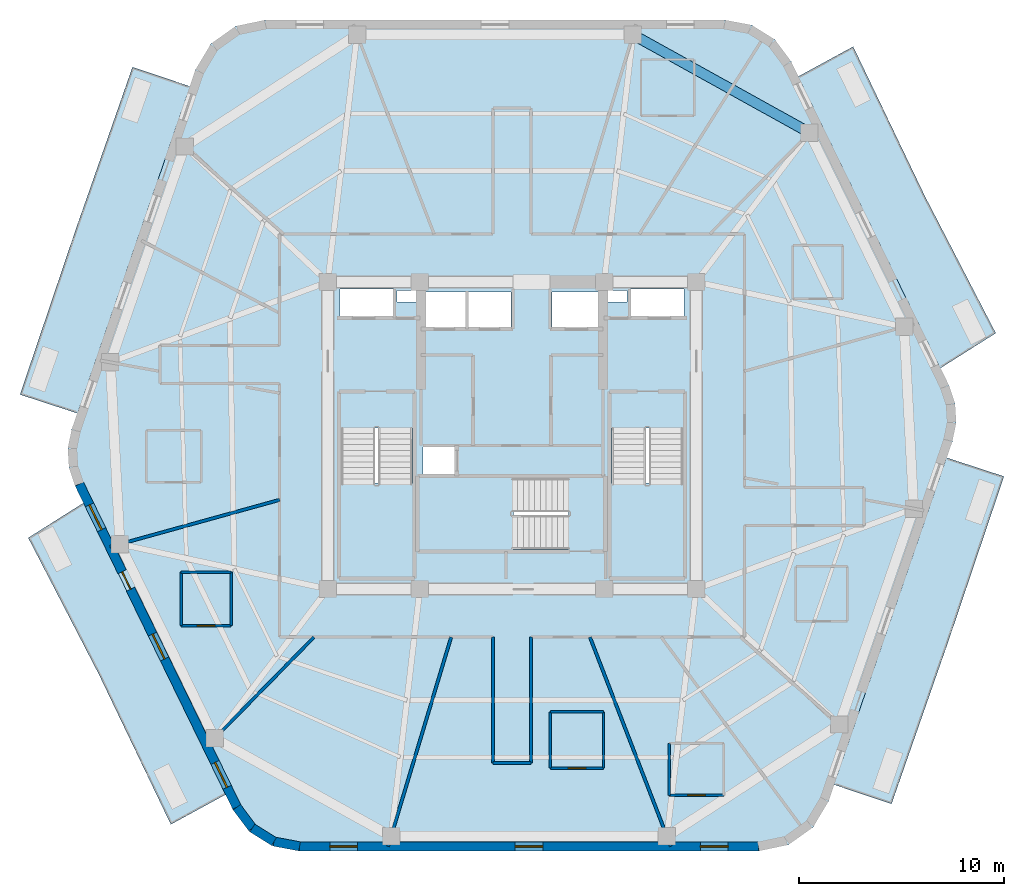
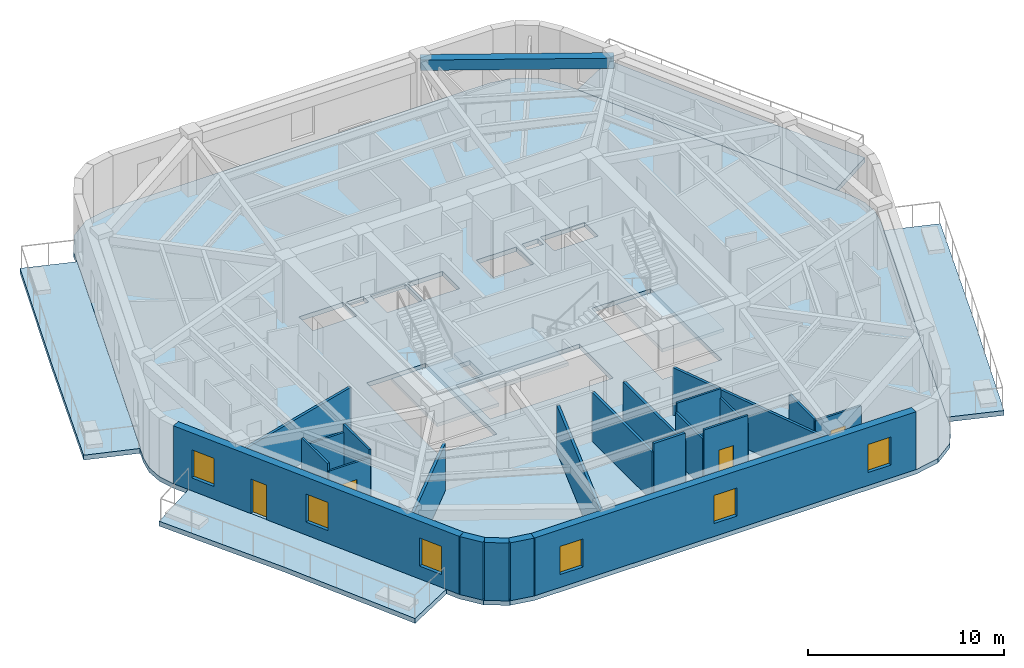
# One storey, part 2 of 9: 22 walls, 8 slabs, 6 windows, 4 doors, 1 beam, 10 openings, 3 elements without a shape of their own.
"""IFC4 building model written with IfcOpenShell, lengths in metres."""

from ifc_helpers import new_model, si_unit, direction, frame, frame_2d, origin, origin_2d, place, context, subcontext, project, spatial, polyline, rectangle, outline, extrude, material, layer, layer_set, material_profile, profile_set, type_object, element, fill, aggregate, save


model = new_model("IFC4")

# Units and contexts
model_context = context("Model", 3, precision=1e-05, world=origin(), true_north=direction((0.0, 1.0)))
body_context = subcontext(model_context, "Body", "Model", "MODEL_VIEW")
ifc_project = project(units=[si_unit("LENGTHUNIT", "METRE"), si_unit("AREAUNIT", "SQUARE_METRE"), si_unit("VOLUMEUNIT", "CUBIC_METRE"), si_unit("PLANEANGLEUNIT", "RADIAN"), si_unit("MASSUNIT", "GRAM", prefix="KILO")], contexts=[model_context])

# Site, building, storey
site_placement = place(None, origin())
site = spatial("IfcSite", under=ifc_project, at=site_placement, CompositionType="ELEMENT")
building_placement = place(site_placement, origin())
building = spatial("IfcBuilding", under=site, at=building_placement, Name="Kilnhurst Terrace Hotel", CompositionType="ELEMENT")
storey_placement = place(building_placement, frame((0.0, 0.0, 276.89990234375)))
storey = spatial("IfcBuildingStorey", under=building, at=storey_placement, Name="L69", CompositionType="ELEMENT", Elevation=276.89990234375)

# Beam
ifc_material_1 = material(Name="Concrete C50/60", Category="concrete")
ifc_material_profile = material_profile(ifc_material_1, rectangle(XDim=0.5, YDim=0.64990234375, at=origin_2d()), Name="RC500X650")
ifc_profile_set = profile_set([ifc_material_profile], Name="Concrete C50/60")
beam_type = type_object("IfcBeamType", Name="BM-SPN-500X650", PredefinedType="SPANDREL", material=ifc_profile_set)
beam_placement = place(storey_placement, frame((14.531005859375, 14.798095703125, 3.275146484375), z_axis=(-0.874527255888, 0.484976369227, 0.0), x_axis=(-0.484976369227, -0.874527255888, 0.0)))
element("IfcBeam", 1, at=beam_placement, inside=storey, type_object=beam_type, Name="L69 Perimeter Spandrel Beam 6", PredefinedType="SPANDREL", context=body_context, shape_type="SweptSolid", body=[
    extrude(rectangle(XDim=0.5, YDim=0.64990234375, at=origin_2d()), origin(), (0.0, 0.0, 1.0), 9.8603515625),
])

# Slabs
ifc_layer_1 = layer(ifc_material_1, 0.300048828125, Name="Concrete C50/60")
ifc_layer_set_1 = layer_set([ifc_layer_1], Name="Concrete C50/60")
slab_type_1 = type_object("IfcSlabType", Name="SLB-BAL-300", PredefinedType="FLOOR", material=ifc_layer_set_1)
slab_1_placement = place(storey_placement, frame((0.0, 0.0, -0.2998046875)))
element("IfcSlab", 2, at=slab_1_placement, inside=storey, type_object=slab_type_1, Name="L69 Cantilevered Planted Terrace Slab BAL-L1A", PredefinedType="FLOOR", context=body_context, shape_type="SweptSolid", body=[
    extrude(outline(polyline([(21.317626953125, -10.054931640625), (18.541259765625, -18.0), (15.725341796875, -17.0556640625), (21.223388671875, -1.0791015625), (24.037353515625, -2.0), (21.317626953125, -10.054931640625)])), origin(), (0.0, 0.0, 1.0), 0.2998046875),
])
slab_2_placement = place(storey_placement, frame((0.0, 0.0, -0.2998046875)))
element("IfcSlab", 3, at=slab_2_placement, inside=storey, type_object=slab_type_1, Name="L69 Cantilevered Planted Terrace Slab BAL-L1B", PredefinedType="FLOOR", context=body_context, shape_type="SweptSolid", body=[
    extrude(outline(polyline([(23.635498046875, 5.0), (20.920166015625, 3.28662109375), (13.9755859375, 17.534912109375), (16.669189453125, 19.0), (20.17919921875, 11.6767578125), (23.635498046875, 5.0)])), origin(), (0.0, 0.0, 1.0), 0.2998046875),
])
slab_3_placement = place(storey_placement, frame((0.0, 0.0, -0.2998046875)))
element("IfcSlab", 4, at=slab_3_placement, inside=storey, type_object=slab_type_1, Name="L69 Cantilevered Planted Terrace Slab BAL-L2A", PredefinedType="FLOOR", context=body_context, shape_type="SweptSolid", body=[
    extrude(outline(polyline([(-18.541259765625, 18.0), (-15.725341796875, 17.0556640625), (-21.223388671875, 1.0791015625), (-24.037353515625, 2.0), (-21.317626953125, 10.054931640625), (-18.541259765625, 18.0)])), origin(), (0.0, 0.0, 1.0), 0.2998046875),
])
slab_4_placement = place(storey_placement, frame((0.0, 0.0, -0.2998046875)))
element("IfcSlab", 5, at=slab_4_placement, inside=storey, type_object=slab_type_1, Name="L69 Cantilevered Planted Terrace Slab BAL-L2B", PredefinedType="FLOOR", context=body_context, shape_type="SweptSolid", body=[
    extrude(outline(polyline([(-23.635498046875, -5.0), (-20.920166015625, -3.28662109375), (-13.9755859375, -17.534912109375), (-16.669189453125, -19.0), (-20.17919921875, -11.6767578125), (-23.635498046875, -5.0)])), origin(), (0.0, 0.0, 1.0), 0.2998046875),
])
ifc_layer_2 = layer(ifc_material_1, 0.280029296875, Name="Concrete C50/60")
ifc_layer_set_2 = layer_set([ifc_layer_2], Name="Concrete C50/60")
slab_type_2 = type_object("IfcSlabType", Name="SLB-FLR-280", PredefinedType="FLOOR", material=ifc_layer_set_2)
slab_5_placement = place(storey_placement, frame((0.0, 0.0, -0.27978515625)))
element("IfcSlab", 6, at=slab_5_placement, inside=storey, type_object=slab_type_2, Name="L69 Structural Floor Slab", PredefinedType="FLOOR", context=body_context, shape_type="SweptSolid", body=[
    extrude(outline(polyline([(-13.635986328125, -18.27734375), (-12.840087890625, -19.3466796875), (-11.709716796875, -20.05322265625), (-10.39990234375, -20.300048828125), (12.061767578125, -20.300048828125), (13.5068359375, -19.9970703125), (14.708984375, -19.139404296875), (15.4658203125, -17.871337890625), (21.51513671875, -0.29248046875), (21.7021484375, 0.627685546875), (21.64501953125, 1.565185546875), (21.34716796875, 2.4560546875), (13.635986328125, 18.27734375), (12.840087890625, 19.3466796875), (11.709716796875, 20.05322265625), (10.39990234375, 20.300048828125), (-12.061767578125, 20.300048828125), (-13.5068359375, 19.9970703125), (-14.708984375, 19.139404296875), (-15.4658203125, 17.871337890625), (-21.51513671875, 0.29248046875), (-21.7021484375, -0.627685546875), (-21.64501953125, -1.565185546875), (-21.34716796875, -2.4560546875), (-13.635986328125, -18.27734375)]), holes=[polyline([(-8.35009765625, 0.35498046875), (-4.8798828125, 0.35498046875), (-4.8798828125, -6.89990234375), (-8.35009765625, -6.89990234375), (-8.35009765625, 0.35498046875)]), polyline([(-2.800048828125, -1.89990234375), (-4.35009765625, -1.89990234375), (-4.35009765625, -0.550048828125), (-2.800048828125, -0.550048828125), (-2.800048828125, -1.89990234375)]), polyline([(-2.25, 5.25), (-4.300048828125, 5.25), (-4.300048828125, 7.0), (-2.25, 7.0), (-2.25, 5.25)]), polyline([(-2.1201171875, 5.25), (-2.1201171875, 7.0), (-0.050048828125, 7.0), (-0.050048828125, 5.25), (-2.1201171875, 5.25)]), polyline([(-8.39990234375, 5.75), (-8.39990234375, 7.14990234375), (-5.800048828125, 7.14990234375), (-5.800048828125, 5.75), (-8.39990234375, 5.75)]), polyline([(-4.659912109375, 6.52001953125), (-5.6201171875, 6.52001953125), (-5.6201171875, 7.080078125), (-4.659912109375, 7.080078125), (-4.659912109375, 6.52001953125)]), polyline([(2.7548828125, -5.550048828125), (-4.5, -5.550048828125), (-4.5, -2.080078125), (2.7548828125, -2.080078125), (2.7548828125, -5.550048828125)]), polyline([(8.35009765625, 0.35498046875), (8.35009765625, -6.89990234375), (4.8798828125, -6.89990234375), (4.8798828125, 0.35498046875), (8.35009765625, 0.35498046875)]), polyline([(4.300048828125, 5.25), (1.949951171875, 5.25), (1.949951171875, 7.0), (4.300048828125, 7.0), (4.300048828125, 5.25)]), polyline([(5.800048828125, 5.75), (5.800048828125, 7.14990234375), (8.39990234375, 7.14990234375), (8.39990234375, 5.75), (5.800048828125, 5.75)]), polyline([(4.659912109375, 6.52001953125), (4.659912109375, 7.080078125), (5.6201171875, 7.080078125), (5.6201171875, 6.52001953125), (4.659912109375, 6.52001953125)])]), origin(), (0.0, 0.0, 1.0), 0.27978515625),
])

# Stair, slab
stair_type = type_object("IfcStairType", Name="STR-CORE-1660", PredefinedType="HALF_TURN_STAIR", material=ifc_material_1)
stair_1_placement = place(storey_placement, origin())
stair_1 = element("IfcStair", 7, at=stair_1_placement, inside=storey, type_object=stair_type, Name="L69 ST-1", PredefinedType="HALF_TURN_STAIR")
ifc_layer_3 = layer(ifc_material_1, 0.199951171875, Name="Concrete C50/60")
ifc_layer_set_3 = layer_set([ifc_layer_3], Name="Concrete C50/60")
slab_type_3 = type_object("IfcSlabType", Name="SLB-ST-LND-200", PredefinedType="LANDING", material=ifc_layer_set_3)
slab_6_placement = place(storey_placement, frame((0.0, 0.0, 1.75)))
slab_6 = element("IfcSlab", 8, at=slab_6_placement, type_object=slab_type_3, Name="ST-1 landing 1", PredefinedType="LANDING", context=body_context, shape_type="SweptSolid", body=[
    extrude(outline(polyline([(-8.429931640625, -2.330078125), (-4.800048828125, -2.330078125), (-4.800048828125, -6.97998046875), (-8.429931640625, -6.97998046875), (-8.429931640625, -2.330078125)])), origin(), (0.0, 0.0, 1.0), 0.2001953125),
])
aggregate(stair_1, [slab_6])

stair_2_placement = place(storey_placement, origin())
stair_2 = element("IfcStair", 9, at=stair_2_placement, inside=storey, type_object=stair_type, Name="L69 ST-2", PredefinedType="HALF_TURN_STAIR")
slab_7_placement = place(storey_placement, frame((0.0, 0.0, 1.75)))
slab_7 = element("IfcSlab", 10, at=slab_7_placement, type_object=slab_type_3, Name="ST-2 landing 1", PredefinedType="LANDING", context=body_context, shape_type="SweptSolid", body=[
    extrude(outline(polyline([(4.800048828125, -2.330078125), (8.429931640625, -2.330078125), (8.429931640625, -6.97998046875), (4.800048828125, -6.97998046875), (4.800048828125, -2.330078125)])), origin(), (0.0, 0.0, 1.0), 0.2001953125),
])
aggregate(stair_2, [slab_7])

stair_3_placement = place(storey_placement, origin())
stair_3 = element("IfcStair", 11, at=stair_3_placement, inside=storey, type_object=stair_type, Name="L69 ST-3", PredefinedType="HALF_TURN_STAIR")
slab_8_placement = place(storey_placement, frame((0.0, 0.0, 1.75)))
slab_8 = element("IfcSlab", 12, at=slab_8_placement, type_object=slab_type_3, Name="ST-3 landing 1", PredefinedType="LANDING", context=body_context, shape_type="SweptSolid", body=[
    extrude(outline(polyline([(0.070068359375, -2.0), (0.070068359375, -5.6298828125), (-4.580078125, -5.6298828125), (-4.580078125, -2.0), (0.070068359375, -2.0)])), origin(), (0.0, 0.0, 1.0), 0.2001953125),
])
aggregate(stair_3, [slab_8])

# Walls
ifc_material_2 = material(Name="Precast concrete C40/50", Category="concrete")
ifc_layer_4 = layer(ifc_material_2, 0.449951171875, Name="Precast concrete C40/50")
ifc_layer_set_4 = layer_set([ifc_layer_4], Name="Precast concrete C40/50")
wall_type_1 = type_object("IfcWallType", Name="WL-BRK-450", PredefinedType="SOLIDWALL", material=ifc_layer_set_4)
wall_1_placement = place(storey_placement, frame((-13.44287109375, -18.159912109375, 0.0), z_axis=(0.0, 0.0, 1.0), x_axis=(0.597042425808, -0.802209661987, 0.0)))
element("IfcWall", 13, at=wall_1_placement, inside=storey, type_object=wall_type_1, Name="L69 Rounded Corner Brick Wall C1.1", PredefinedType="SOLIDWALL", context=body_context, shape_type="SweptSolid", body=[
    extrude(rectangle(XDim=1.269775390625, YDim=0.449951171875, at=frame_2d((0.634765625, 0.0))), origin(), (0.0, 0.0, 1.0), 3.60009765625),
])
wall_2_placement = place(storey_placement, frame((-12.684814453125, -19.178466796875, 0.0), z_axis=(0.0, 0.0, 1.0), x_axis=(0.848031272749, -0.529946186362, 0.0)))
element("IfcWall", 14, at=wall_2_placement, inside=storey, type_object=wall_type_1, Name="L69 Rounded Corner Brick Wall C1.2", PredefinedType="SOLIDWALL", context=body_context, shape_type="SweptSolid", body=[
    extrude(rectangle(XDim=1.248046875, YDim=0.449951171875, at=frame_2d((0.6240234375, 0.0))), origin(), (0.0, 0.0, 1.0), 3.60009765625),
])
wall_3_placement = place(storey_placement, frame((-11.62646484375, -19.83984375, 0.0), z_axis=(0.0, 0.0, 1.0), x_axis=(0.982701956681, -0.185194126083, 0.0)))
element("IfcWall", 15, at=wall_3_placement, inside=storey, type_object=wall_type_1, Name="L69 Rounded Corner Brick Wall C1.3", PredefinedType="SOLIDWALL", context=body_context, shape_type="SweptSolid", body=[
    extrude(rectangle(XDim=1.26953125, YDim=0.449951171875, at=frame_2d((0.634765625, 0.0))), origin(), (0.0, 0.0, 1.0), 3.60009765625),
])

# Wall, openings, windows
wall_4_placement = place(storey_placement, frame((-10.37890625, -20.074951171875, 0.0), z_axis=(0.0, 0.0, 1.0), x_axis=(1.0, 0.0, 0.0)))
wall_4 = element("IfcWall", 16, at=wall_4_placement, inside=storey, type_object=wall_type_1, Name="L69 Exterior Brick Facade Wall F1", PredefinedType="SOLIDWALL", context=body_context, shape_type="SweptSolid", body=[
    extrude(rectangle(XDim=22.417236328125, YDim=0.449951171875, at=frame_2d((11.20849609375, 0.0))), origin(), (0.0, 0.0, 1.0), 3.60009765625),
])
opening_1_placement = place(wall_4_placement, frame((1.47998046875, 0.0, 0.800048828125)))
opening_1 = element("IfcOpeningElement", 17, at=opening_1_placement, cuts=wall_4, Name="Opening W-06", PredefinedType="OPENING", context=body_context, shape_type="SweptSolid", body=[
    extrude(rectangle(XDim=1.35009765625, YDim=1.75, at=frame_2d((0.675048828125, 0.875))), frame((0.0, 0.23486328125, 0.0), z_axis=(0.0, -1.0, 0.0), x_axis=(1.0, 0.0, 0.0)), (0.0, 0.0, 1.0), 0.469970703125),
])
opening_2_placement = place(wall_4_placement, frame((10.533935546875, 0.0, 0.800048828125)))
opening_2 = element("IfcOpeningElement", 18, at=opening_2_placement, cuts=wall_4, Name="Opening W-06", PredefinedType="OPENING", context=body_context, shape_type="SweptSolid", body=[
    extrude(rectangle(XDim=1.35009765625, YDim=1.75, at=frame_2d((0.675048828125, 0.875))), frame((0.0, 0.23486328125, 0.0), z_axis=(0.0, -1.0, 0.0), x_axis=(1.0, 0.0, 0.0)), (0.0, 0.0, 1.0), 0.469970703125),
])
opening_3_placement = place(wall_4_placement, frame((19.5869140625, 0.0, 0.800048828125)))
opening_3 = element("IfcOpeningElement", 19, at=opening_3_placement, cuts=wall_4, Name="Opening W-06", PredefinedType="OPENING", context=body_context, shape_type="SweptSolid", body=[
    extrude(rectangle(XDim=1.35009765625, YDim=1.75, at=frame_2d((0.675048828125, 0.875))), frame((0.0, 0.23486328125, 0.0), z_axis=(0.0, -1.0, 0.0), x_axis=(1.0, 0.0, 0.0)), (0.0, 0.0, 1.0), 0.469970703125),
])
ifc_material_3 = material(Name="Thermally Broken Bronze Aluminium Alloy 6063-T6 and Low-E Glass", Category="aluminium")
window_type = type_object("IfcWindowType", Name="WIN-1350X1750", PartitioningType="SINGLE_PANEL", PredefinedType="WINDOW", material=ifc_material_3)
window_1_placement = place(opening_1_placement, origin())
window_1 = element("IfcWindow", 20, at=window_1_placement, inside=storey, type_object=window_type, Name="L69 Deep-Set Masonry Window F1.1", OverallHeight=1.75, OverallWidth=1.35009765625, PartitioningType="SINGLE_PANEL", PredefinedType="WINDOW", context=body_context, shape_type="SweptSolid", body=[
    extrude(rectangle(XDim=1.35009765625, YDim=1.75, at=frame_2d((0.675048828125, 0.875))), frame((0.0, 0.030029296875, 0.0), z_axis=(0.0, -1.0, 0.0), x_axis=(1.0, 0.0, 0.0)), (0.0, 0.0, 1.0), 0.06005859375),
])
fill(opening_1, window_1)
window_2_placement = place(opening_2_placement, origin())
window_2 = element("IfcWindow", 21, at=window_2_placement, inside=storey, type_object=window_type, Name="L69 Deep-Set Masonry Window F1.2", OverallHeight=1.75, OverallWidth=1.35009765625, PartitioningType="SINGLE_PANEL", PredefinedType="WINDOW", context=body_context, shape_type="SweptSolid", body=[
    extrude(rectangle(XDim=1.35009765625, YDim=1.75, at=frame_2d((0.675048828125, 0.875))), frame((0.0, 0.030029296875, 0.0), z_axis=(0.0, -1.0, 0.0), x_axis=(1.0, 0.0, 0.0)), (0.0, 0.0, 1.0), 0.06005859375),
])
fill(opening_2, window_2)
window_3_placement = place(opening_3_placement, origin())
window_3 = element("IfcWindow", 22, at=window_3_placement, inside=storey, type_object=window_type, Name="L69 Deep-Set Masonry Window F1.3", OverallHeight=1.75, OverallWidth=1.35009765625, PartitioningType="SINGLE_PANEL", PredefinedType="WINDOW", context=body_context, shape_type="SweptSolid", body=[
    extrude(rectangle(XDim=1.35009765625, YDim=1.75, at=frame_2d((0.675048828125, 0.875))), frame((0.0, 0.030029296875, 0.0), z_axis=(0.0, -1.0, 0.0), x_axis=(1.0, 0.0, 0.0)), (0.0, 0.0, 1.0), 0.06005859375),
])
fill(opening_3, window_3)

# Wall, openings, door, windows
wall_5_placement = place(storey_placement, frame((-21.138427734375, -2.370849609375, 0.0), z_axis=(0.0, 0.0, 1.0), x_axis=(0.438128124058, -0.89891253574, 0.0)))
wall_5 = element("IfcWall", 23, at=wall_5_placement, inside=storey, type_object=wall_type_1, Name="L69 Exterior Brick Facade Wall F6", PredefinedType="SOLIDWALL", context=body_context, shape_type="SweptSolid", body=[
    extrude(rectangle(XDim=17.564697265625, YDim=0.449951171875, at=frame_2d((8.7822265625, 0.0))), origin(), (0.0, 0.0, 1.0), 3.60009765625),
])
opening_4_placement = place(wall_5_placement, frame((4.76904296875, 0.0, 0.0)))
opening_4 = element("IfcOpeningElement", 24, at=opening_4_placement, cuts=wall_5, Name="Opening BD-950", PredefinedType="OPENING", context=body_context, shape_type="SweptSolid", body=[
    extrude(rectangle(XDim=0.949951171875, YDim=2.14990234375, at=frame_2d((0.47509765625, 1.074951171875))), frame((0.0, 0.23486328125, 0.0), z_axis=(0.0, -1.0, 0.0), x_axis=(1.0, 0.0, 0.0)), (0.0, 0.0, 1.0), 0.469970703125),
])
opening_5_placement = place(wall_5_placement, frame((1.133056640625, 0.0, 0.800048828125)))
opening_5 = element("IfcOpeningElement", 25, at=opening_5_placement, cuts=wall_5, Name="Opening W-06", PredefinedType="OPENING", context=body_context, shape_type="SweptSolid", body=[
    extrude(rectangle(XDim=1.35009765625, YDim=1.75, at=frame_2d((0.675048828125, 0.875))), frame((0.0, 0.23486328125, 0.0), z_axis=(0.0, -1.0, 0.0), x_axis=(1.0, 0.0, 0.0)), (0.0, 0.0, 1.0), 0.469970703125),
])
opening_6_placement = place(wall_5_placement, frame((8.157958984375, 0.0, 0.800048828125)))
opening_6 = element("IfcOpeningElement", 26, at=opening_6_placement, cuts=wall_5, Name="Opening W-06", PredefinedType="OPENING", context=body_context, shape_type="SweptSolid", body=[
    extrude(rectangle(XDim=1.35009765625, YDim=1.75, at=frame_2d((0.675048828125, 0.875))), frame((0.0, 0.23486328125, 0.0), z_axis=(0.0, -1.0, 0.0), x_axis=(1.0, 0.0, 0.0)), (0.0, 0.0, 1.0), 0.469970703125),
])
opening_7_placement = place(wall_5_placement, frame((15.132080078125, 0.0, 0.800048828125)))
opening_7 = element("IfcOpeningElement", 27, at=opening_7_placement, cuts=wall_5, Name="Opening W-06", PredefinedType="OPENING", context=body_context, shape_type="SweptSolid", body=[
    extrude(rectangle(XDim=1.35009765625, YDim=1.75, at=frame_2d((0.675048828125, 0.875))), frame((0.0, 0.23486328125, 0.0), z_axis=(0.0, -1.0, 0.0), x_axis=(1.0, 0.0, 0.0)), (0.0, 0.0, 1.0), 0.469970703125),
])
ifc_material_4 = material(Name="Thermally Broken Bronze Aluminium Alloy 6063-T6 and Laminated Glass", Category="aluminium")
door_type_1 = type_object("IfcDoorType", Name="DR-EXT-BAL-950", OperationType="NOTDEFINED", PredefinedType="DOOR", material=ifc_material_4)
door_1_placement = place(opening_4_placement, origin())
door_1 = element("IfcDoor", 28, at=door_1_placement, inside=storey, type_object=door_type_1, Name="L69 Planted Balcony Door BAL-L2B", OperationType="SINGLE_SWING_RIGHT", OverallHeight=2.14990234375, OverallWidth=0.949951171875, PredefinedType="DOOR", context=body_context, shape_type="SweptSolid", body=[
    extrude(rectangle(XDim=0.949951171875, YDim=2.14990234375, at=frame_2d((0.47509765625, 1.074951171875))), frame((0.0, 0.02490234375, 0.0), z_axis=(0.0, -1.0, 0.0), x_axis=(1.0, 0.0, 0.0)), (0.0, 0.0, 1.0), 0.050048828125),
])
fill(opening_4, door_1)
window_4_placement = place(opening_5_placement, origin())
window_4 = element("IfcWindow", 29, at=window_4_placement, inside=storey, type_object=window_type, Name="L69 Deep-Set Masonry Window F6.1", OverallHeight=1.75, OverallWidth=1.35009765625, PartitioningType="SINGLE_PANEL", PredefinedType="WINDOW", context=body_context, shape_type="SweptSolid", body=[
    extrude(rectangle(XDim=1.35009765625, YDim=1.75, at=frame_2d((0.675048828125, 0.875))), frame((0.0, 0.030029296875, 0.0), z_axis=(0.0, -1.0, 0.0), x_axis=(1.0, 0.0, 0.0)), (0.0, 0.0, 1.0), 0.06005859375),
])
fill(opening_5, window_4)
window_5_placement = place(opening_6_placement, origin())
window_5 = element("IfcWindow", 30, at=window_5_placement, inside=storey, type_object=window_type, Name="L69 Deep-Set Masonry Window F6.2", OverallHeight=1.75, OverallWidth=1.35009765625, PartitioningType="SINGLE_PANEL", PredefinedType="WINDOW", context=body_context, shape_type="SweptSolid", body=[
    extrude(rectangle(XDim=1.35009765625, YDim=1.75, at=frame_2d((0.675048828125, 0.875))), frame((0.0, 0.030029296875, 0.0), z_axis=(0.0, -1.0, 0.0), x_axis=(1.0, 0.0, 0.0)), (0.0, 0.0, 1.0), 0.06005859375),
])
fill(opening_6, window_5)
window_6_placement = place(opening_7_placement, origin())
window_6 = element("IfcWindow", 31, at=window_6_placement, inside=storey, type_object=window_type, Name="L69 Deep-Set Masonry Window F6.3", OverallHeight=1.75, OverallWidth=1.35009765625, PartitioningType="SINGLE_PANEL", PredefinedType="WINDOW", context=body_context, shape_type="SweptSolid", body=[
    extrude(rectangle(XDim=1.35009765625, YDim=1.75, at=frame_2d((0.675048828125, 0.875))), frame((0.0, 0.030029296875, 0.0), z_axis=(0.0, -1.0, 0.0), x_axis=(1.0, 0.0, 0.0)), (0.0, 0.0, 1.0), 0.06005859375),
])
fill(opening_7, window_6)

# Walls
ifc_material_5 = material(Name="Acoustic Double-Gypsum Corridor Partition Assembly")
ifc_layer_5 = layer(ifc_material_5, 0.14990234375, Name="Acoustic Double-Gypsum Corridor Partition Assembly")
ifc_layer_set_5 = layer_set([ifc_layer_5], Name="Acoustic Double-Gypsum Corridor Partition Assembly")
wall_type_2 = type_object("IfcWallType", Name="WL-COR-150", PredefinedType="PARTITIONING", material=ifc_layer_set_5)
wall_6_placement = place(storey_placement, frame((0.919921875, -9.85009765625, 0.0), z_axis=(0.0, 0.0, 1.0), x_axis=(0.0, -1.0, 0.0)))
element("IfcWall", 32, at=wall_6_placement, inside=storey, type_object=wall_type_2, Name="L69 Interior Wall WL-L69-COR-17", PredefinedType="PARTITIONING", context=body_context, shape_type="SweptSolid", body=[
    extrude(rectangle(XDim=6.14990234375, YDim=0.14990234375, at=frame_2d((3.074951171875, 0.0))), origin(), (0.0, 0.0, 1.0), 3.04052734375),
])
wall_7_placement = place(storey_placement, frame((0.919921875, -16.0, 0.0), z_axis=(0.0, 0.0, 1.0), x_axis=(-1.0, 0.0, 0.0)))
element("IfcWall", 33, at=wall_7_placement, inside=storey, type_object=wall_type_2, Name="L69 Interior Wall WL-L69-COR-18", PredefinedType="PARTITIONING", context=body_context, shape_type="SweptSolid", body=[
    extrude(rectangle(XDim=1.83984375, YDim=0.14990234375, at=frame_2d((0.919921875, 0.0))), origin(), (0.0, 0.0, 1.0), 3.60009765625),
])
wall_8_placement = place(storey_placement, frame((-0.919921875, -16.0, 0.0), z_axis=(0.0, 0.0, 1.0), x_axis=(0.0, 1.0, 0.0)))
element("IfcWall", 34, at=wall_8_placement, inside=storey, type_object=wall_type_2, Name="L69 Interior Wall WL-L69-COR-19", PredefinedType="PARTITIONING", context=body_context, shape_type="SweptSolid", body=[
    extrude(rectangle(XDim=6.14990234375, YDim=0.14990234375, at=frame_2d((3.074951171875, 0.0))), origin(), (0.0, 0.0, 1.0), 3.04052734375),
])
ifc_material_6 = material(Name="STC-58 Acoustic Twin-Frame Guestroom Demising Partition")
ifc_layer_6 = layer(ifc_material_6, 0.14990234375, Name="STC-58 Acoustic Twin-Frame Guestroom Demising Partition")
ifc_layer_set_6 = layer_set([ifc_layer_6], Name="STC-58 Acoustic Twin-Frame Guestroom Demising Partition")
wall_type_3 = type_object("IfcWallType", Name="WL-DEM-150", PredefinedType="PARTITIONING", material=ifc_layer_set_6)
wall_9_placement = place(storey_placement, frame((-11.35009765625, -3.142822265625, 0.0), z_axis=(0.0, 0.0, 1.0), x_axis=(-0.963731818141, -0.266872596386, 0.0)))
element("IfcWall", 35, at=wall_9_placement, inside=storey, type_object=wall_type_3, Name="L69 Interior Wall WL-L69-DEM-COL07-09-1", PredefinedType="PARTITIONING", context=body_context, shape_type="SweptSolid", body=[
    extrude(rectangle(XDim=8.604736328125, YDim=0.14990234375, at=frame_2d((4.30224609375, 0.0))), origin(), (0.0, 0.0, 1.0), 2.940185546875),
])
wall_10_placement = place(storey_placement, frame((-9.67236328125, -9.85009765625, 0.0), z_axis=(0.0, 0.0, 1.0), x_axis=(-0.700629771301, -0.713524998558, 0.0)))
element("IfcWall", 36, at=wall_10_placement, inside=storey, type_object=wall_type_3, Name="L69 Interior Wall WL-L69-DEM-COL08-10-1", PredefinedType="PARTITIONING", context=body_context, shape_type="SweptSolid", body=[
    extrude(rectangle(XDim=7.45947265625, YDim=0.14990234375, at=frame_2d((3.729736328125, 0.0))), origin(), (0.0, 0.0, 1.0), 2.940185546875),
])
wall_11_placement = place(storey_placement, frame((-2.97216796875, -9.85009765625, 0.0), z_axis=(0.0, 0.0, 1.0), x_axis=(-0.288872169679, -0.957367677324, 0.0)))
element("IfcWall", 37, at=wall_11_placement, inside=storey, type_object=wall_type_3, Name="L69 Interior Wall WL-L69-DEM-COL09-11-1", PredefinedType="PARTITIONING", context=body_context, shape_type="SweptSolid", body=[
    extrude(rectangle(XDim=10.68017578125, YDim=0.14990234375, at=frame_2d((5.340087890625, 0.0))), origin(), (0.0, 0.0, 1.0), 2.940185546875),
])
wall_12_placement = place(storey_placement, frame((3.8076171875, -9.85009765625, 0.0), z_axis=(0.0, 0.0, 1.0), x_axis=(0.360587327934, -0.932725457427, 0.0)))
element("IfcWall", 38, at=wall_12_placement, inside=storey, type_object=wall_type_3, Name="L69 Interior Wall WL-L69-DEM-COL10-12-1", PredefinedType="PARTITIONING", context=body_context, shape_type="SweptSolid", body=[
    extrude(rectangle(XDim=10.96240234375, YDim=0.14990234375, at=frame_2d((5.481201171875, 0.0))), origin(), (0.0, 0.0, 1.0), 2.940185546875),
])

# Wall, opening, door
ifc_material_7 = material(Name="120 mm Moisture-Resistant Tile-Backed Bathroom Partition")
ifc_layer_7 = layer(ifc_material_7, 0.1201171875, Name="120 mm Moisture-Resistant Tile-Backed Bathroom Partition")
ifc_layer_set_7 = layer_set([ifc_layer_7], Name="120 mm Moisture-Resistant Tile-Backed Bathroom Partition")
wall_type_4 = type_object("IfcWallType", Name="WL-PART-120", PredefinedType="PARTITIONING", material=ifc_layer_set_7)
wall_13_placement = place(storey_placement, frame((-16.1630859375, -9.287109375, 0.0), z_axis=(0.0, 0.0, 1.0), x_axis=(1.0, 0.0, 0.0)))
wall_13 = element("IfcWall", 39, at=wall_13_placement, inside=storey, type_object=wall_type_4, Name="L69 Interior Wall WL-L69-BTH-09-1", PredefinedType="PARTITIONING", context=body_context, shape_type="SweptSolid", body=[
    extrude(rectangle(XDim=2.440185546875, YDim=0.1201171875, at=frame_2d((1.22021484375, 0.0))), origin(), (0.0, 0.0, 1.0), 3.126708984375),
])
opening_8_placement = place(wall_13_placement, frame((0.794921875, 0.0, 0.0)))
opening_8 = element("IfcOpeningElement", 40, at=opening_8_placement, cuts=wall_13, Name="Opening D-08A", PredefinedType="OPENING", context=body_context, shape_type="SweptSolid", body=[
    extrude(rectangle(XDim=0.85009765625, YDim=2.030029296875, at=frame_2d((0.425048828125, 1.01513671875))), frame((0.0, 0.070068359375, 0.0), z_axis=(0.0, -1.0, 0.0), x_axis=(1.0, 0.0, 0.0)), (0.0, 0.0, 1.0), 0.14013671875),
])
ifc_material_8 = material(Name="Moisture-Resistant Lacquered En-suite Bathroom Door")
door_type_2 = type_object("IfcDoorType", Name="DR-INT-850", OperationType="NOTDEFINED", PredefinedType="DOOR", material=ifc_material_8)
door_2_placement = place(opening_8_placement, origin())
door_2 = element("IfcDoor", 41, at=door_2_placement, inside=storey, type_object=door_type_2, Name="L69 En-suite Bathroom Door 9", OperationType="SINGLE_SWING_RIGHT", OverallHeight=2.030029296875, OverallWidth=0.85009765625, PredefinedType="DOOR", context=body_context, shape_type="SweptSolid", body=[
    extrude(rectangle(XDim=0.85009765625, YDim=2.030029296875, at=frame_2d((0.425048828125, 1.01513671875))), frame((0.0, 0.02490234375, 0.0), z_axis=(0.0, -1.0, 0.0), x_axis=(1.0, 0.0, 0.0)), (0.0, 0.0, 1.0), 0.050048828125),
])
fill(opening_8, door_2)

# Walls
wall_14_placement = place(storey_placement, frame((-13.722900390625, -9.287109375, 0.0), z_axis=(0.0, 0.0, 1.0), x_axis=(0.0, 1.0, 0.0)))
element("IfcWall", 42, at=wall_14_placement, inside=storey, type_object=wall_type_4, Name="L69 Interior Wall WL-L69-BTH-09-2", PredefinedType="PARTITIONING", context=body_context, shape_type="SweptSolid", body=[
    extrude(rectangle(XDim=2.610107421875, YDim=0.1201171875, at=frame_2d((1.30517578125, 0.0))), origin(), (0.0, 0.0, 1.0), 3.60009765625),
])
wall_15_placement = place(storey_placement, frame((-13.722900390625, -6.677001953125, 0.0), z_axis=(0.0, 0.0, 1.0), x_axis=(-1.0, 0.0, 0.0)))
element("IfcWall", 43, at=wall_15_placement, inside=storey, type_object=wall_type_4, Name="L69 Interior Wall WL-L69-BTH-09-3", PredefinedType="PARTITIONING", context=body_context, shape_type="SweptSolid", body=[
    extrude(rectangle(XDim=2.440185546875, YDim=0.1201171875, at=frame_2d((1.22021484375, 0.0))), origin(), (0.0, 0.0, 1.0), 3.126708984375),
])
wall_16_placement = place(storey_placement, frame((-16.1630859375, -6.677001953125, 0.0), z_axis=(0.0, 0.0, 1.0), x_axis=(0.0, -1.0, 0.0)))
element("IfcWall", 44, at=wall_16_placement, inside=storey, type_object=wall_type_4, Name="L69 Interior Wall WL-L69-BTH-09-4", PredefinedType="PARTITIONING", context=body_context, shape_type="SweptSolid", body=[
    extrude(rectangle(XDim=2.610107421875, YDim=0.1201171875, at=frame_2d((1.30517578125, 0.0))), origin(), (0.0, 0.0, 1.0), 3.60009765625),
])

# Wall, opening, door
wall_17_placement = place(storey_placement, frame((1.87109375, -16.25, 0.0), z_axis=(0.0, 0.0, 1.0), x_axis=(1.0, 0.0, 0.0)))
wall_17 = element("IfcWall", 45, at=wall_17_placement, inside=storey, type_object=wall_type_4, Name="L69 Interior Wall WL-L69-BTH-11-1", PredefinedType="PARTITIONING", context=body_context, shape_type="SweptSolid", body=[
    extrude(rectangle(XDim=2.599853515625, YDim=0.1201171875, at=frame_2d((1.2998046875, 0.0))), origin(), (0.0, 0.0, 1.0), 3.60009765625),
])
opening_9_placement = place(wall_17_placement, frame((0.875, 0.0, 0.0)))
opening_9 = element("IfcOpeningElement", 46, at=opening_9_placement, cuts=wall_17, Name="Opening D-08A", PredefinedType="OPENING", context=body_context, shape_type="SweptSolid", body=[
    extrude(rectangle(XDim=0.85009765625, YDim=2.030029296875, at=frame_2d((0.425048828125, 1.01513671875))), frame((0.0, 0.070068359375, 0.0), z_axis=(0.0, -1.0, 0.0), x_axis=(1.0, 0.0, 0.0)), (0.0, 0.0, 1.0), 0.14013671875),
])
door_3_placement = place(opening_9_placement, origin())
door_3 = element("IfcDoor", 47, at=door_3_placement, inside=storey, type_object=door_type_2, Name="L69 En-suite Bathroom Door 11", OperationType="SINGLE_SWING_RIGHT", OverallHeight=2.030029296875, OverallWidth=0.85009765625, PredefinedType="DOOR", context=body_context, shape_type="SweptSolid", body=[
    extrude(rectangle(XDim=0.85009765625, YDim=2.030029296875, at=frame_2d((0.425048828125, 1.01513671875))), frame((0.0, 0.02490234375, 0.0), z_axis=(0.0, -1.0, 0.0), x_axis=(1.0, 0.0, 0.0)), (0.0, 0.0, 1.0), 0.050048828125),
])
fill(opening_9, door_3)

# Walls
wall_18_placement = place(storey_placement, frame((4.470947265625, -16.25, 0.0), z_axis=(0.0, 0.0, 1.0), x_axis=(0.0, 1.0, 0.0)))
element("IfcWall", 48, at=wall_18_placement, inside=storey, type_object=wall_type_4, Name="L69 Interior Wall WL-L69-BTH-11-2", PredefinedType="PARTITIONING", context=body_context, shape_type="SweptSolid", body=[
    extrude(rectangle(XDim=2.75, YDim=0.1201171875, at=frame_2d((1.375, 0.0))), origin(), (0.0, 0.0, 1.0), 3.04052734375),
])
wall_19_placement = place(storey_placement, frame((4.470947265625, -13.5, 0.0), z_axis=(0.0, 0.0, 1.0), x_axis=(-1.0, 0.0, 0.0)))
element("IfcWall", 49, at=wall_19_placement, inside=storey, type_object=wall_type_4, Name="L69 Interior Wall WL-L69-BTH-11-3", PredefinedType="PARTITIONING", context=body_context, shape_type="SweptSolid", body=[
    extrude(rectangle(XDim=2.599853515625, YDim=0.1201171875, at=frame_2d((1.2998046875, 0.0))), origin(), (0.0, 0.0, 1.0), 3.60009765625),
])
wall_20_placement = place(storey_placement, frame((1.87109375, -13.5, 0.0), z_axis=(0.0, 0.0, 1.0), x_axis=(0.0, -1.0, 0.0)))
element("IfcWall", 50, at=wall_20_placement, inside=storey, type_object=wall_type_4, Name="L69 Interior Wall WL-L69-BTH-11-4", PredefinedType="PARTITIONING", context=body_context, shape_type="SweptSolid", body=[
    extrude(rectangle(XDim=2.75, YDim=0.1201171875, at=frame_2d((1.375, 0.0))), origin(), (0.0, 0.0, 1.0), 3.04052734375),
])

# Wall, opening, door
wall_21_placement = place(storey_placement, frame((7.674072265625, -17.5810546875, 0.0), z_axis=(0.0, 0.0, 1.0), x_axis=(1.0, 0.0, 0.0)))
wall_21 = element("IfcWall", 51, at=wall_21_placement, inside=storey, type_object=wall_type_4, Name="L69 Interior Wall WL-L69-BTH-12-1", PredefinedType="PARTITIONING", context=body_context, shape_type="SweptSolid", body=[
    extrude(rectangle(XDim=2.679931640625, YDim=0.1201171875, at=frame_2d((1.33984375, 0.0))), origin(), (0.0, 0.0, 1.0), 2.940185546875),
])
opening_10_placement = place(wall_21_placement, frame((0.9150390625, 0.0, 0.0)))
opening_10 = element("IfcOpeningElement", 52, at=opening_10_placement, cuts=wall_21, Name="Opening D-08A", PredefinedType="OPENING", context=body_context, shape_type="SweptSolid", body=[
    extrude(rectangle(XDim=0.85009765625, YDim=2.030029296875, at=frame_2d((0.425048828125, 1.01513671875))), frame((0.0, 0.070068359375, 0.0), z_axis=(0.0, -1.0, 0.0), x_axis=(1.0, 0.0, 0.0)), (0.0, 0.0, 1.0), 0.14013671875),
])
door_4_placement = place(opening_10_placement, origin())
door_4 = element("IfcDoor", 53, at=door_4_placement, inside=storey, type_object=door_type_2, Name="L69 En-suite Bathroom Door 12", OperationType="SINGLE_SWING_LEFT", OverallHeight=2.030029296875, OverallWidth=0.85009765625, PredefinedType="DOOR", context=body_context, shape_type="SweptSolid", body=[
    extrude(rectangle(XDim=0.85009765625, YDim=2.030029296875, at=frame_2d((0.425048828125, 1.01513671875))), frame((0.0, 0.02490234375, 0.0), z_axis=(0.0, -1.0, 0.0), x_axis=(1.0, 0.0, 0.0)), (0.0, 0.0, 1.0), 0.050048828125),
])
fill(opening_10, door_4)

# Wall
wall_22_placement = place(storey_placement, frame((7.674072265625, -15.041015625, 0.0), z_axis=(0.0, 0.0, 1.0), x_axis=(0.0, -1.0, 0.0)))
element("IfcWall", 54, at=wall_22_placement, inside=storey, type_object=wall_type_4, Name="L69 Interior Wall WL-L69-BTH-12-4", PredefinedType="PARTITIONING", context=body_context, shape_type="SweptSolid", body=[
    extrude(rectangle(XDim=2.5400390625, YDim=0.1201171875, at=frame_2d((1.27001953125, 0.0))), origin(), (0.0, 0.0, 1.0), 3.04052734375),
])

save(model, "model.ifc")
